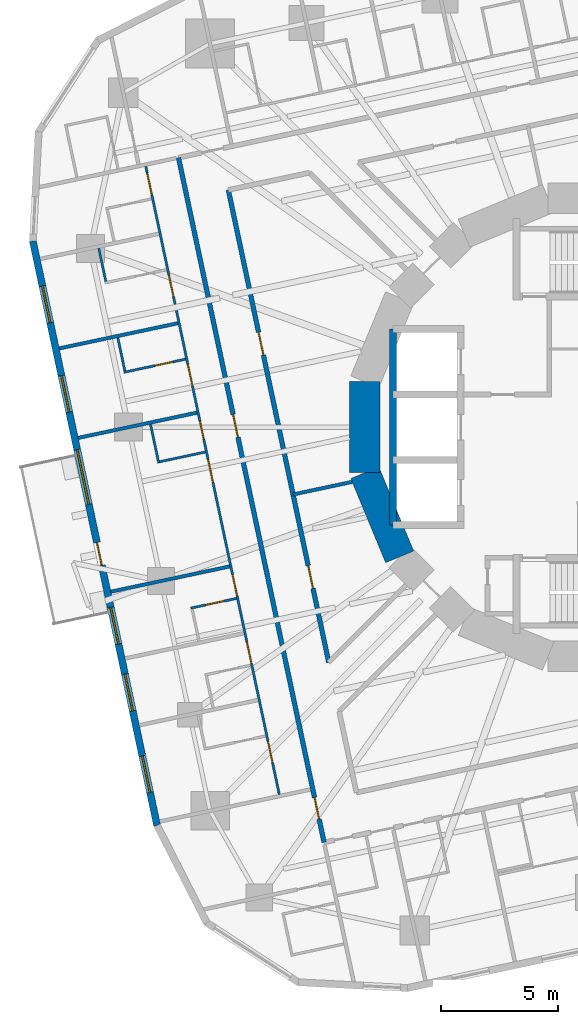
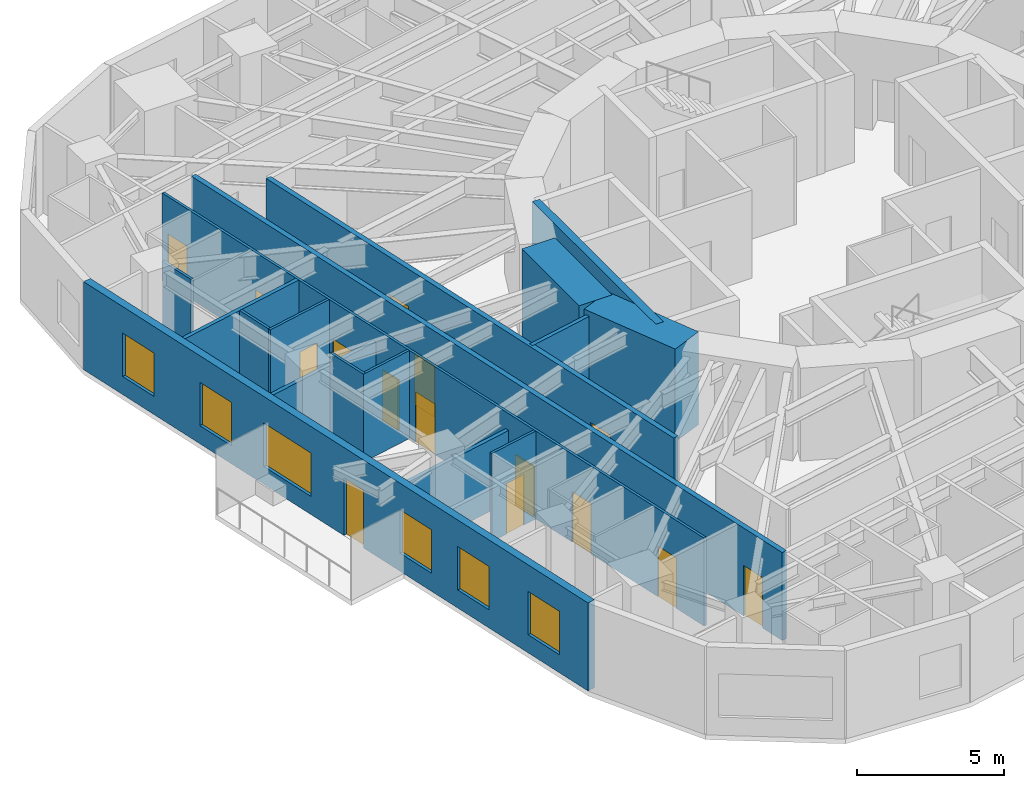
# One storey, part 6 of 14: 17 walls, 15 doors, 6 windows, 21 openings.
"""IFC4 building model written with IfcOpenShell, lengths in metres."""

from ifc_helpers import new_model, si_unit, direction, frame, frame_2d, origin, place, context, subcontext, project, spatial, rectangle, extrude, material, layer, layer_set, type_object, element, fill, save


model = new_model("IFC4")

# Units and contexts
model_context = context("Model", 3, precision=1e-05, world=origin(), true_north=direction((0.0, 1.0)))
body_context = subcontext(model_context, "Body", "Model", "MODEL_VIEW")
ifc_project = project(units=[si_unit("LENGTHUNIT", "METRE"), si_unit("AREAUNIT", "SQUARE_METRE"), si_unit("VOLUMEUNIT", "CUBIC_METRE"), si_unit("PLANEANGLEUNIT", "RADIAN"), si_unit("MASSUNIT", "GRAM", prefix="KILO")], contexts=[model_context])

# Site, building, storey
site_placement = place(None, origin())
site = spatial("IfcSite", under=ifc_project, at=site_placement, CompositionType="ELEMENT")
building_placement = place(site_placement, origin())
building = spatial("IfcBuilding", under=site, at=building_placement, Name="Nakasero Lantern House", CompositionType="ELEMENT")
storey_placement = place(building_placement, frame((0.0, 0.0, 108.85009765625)))
storey = spatial("IfcBuildingStorey", under=building, at=storey_placement, Name="L26", CompositionType="ELEMENT", Elevation=108.85009765625)

# Wall, openings, doors
ifc_material_1 = material(Name="Blockwork", Category="masonry")
ifc_layer_1 = layer(ifc_material_1, 0.10009765625)
ifc_layer_set_1 = layer_set([ifc_layer_1], Name="Cluster hall wall 100")
wall_type_1 = type_object("IfcWallType", Name="Cluster hall wall 100", PredefinedType="PARTITIONING", material=ifc_layer_set_1)
wall_1_placement = place(storey_placement, frame((-19.193603515625, 11.1787109375, 0.0), z_axis=(0.0, 0.0, 1.0), x_axis=(0.207915639441, -0.97814676142, 0.0)))
wall_1 = element("IfcWall", 1, at=wall_1_placement, inside=storey, type_object=wall_type_1, Name="Cluster hall wall L26 HW2-0", PredefinedType="PARTITIONING", context=body_context, shape_type="SweptSolid", body=[
    extrude(rectangle(XDim=27.513427734375, YDim=0.10009765625, at=frame_2d((13.7568359375, 0.0))), origin(), (0.0, 0.0, 1.0), 3.64990234375),
])
opening_1_placement = place(wall_1_placement, frame((12.848876953125, 0.0, 0.0)))
opening_1 = element("IfcOpeningElement", 2, at=opening_1_placement, cuts=wall_1, Name="Opening D03", PredefinedType="OPENING", context=body_context, shape_type="SweptSolid", body=[
    extrude(rectangle(XDim=1.0, YDim=2.10009765625, at=frame_2d((0.5, 1.050048828125))), frame((0.0, 0.070068359375, 0.0), z_axis=(0.0, -1.0, 0.0), x_axis=(1.0, 0.0, 0.0)), (0.0, 0.0, 1.0), 0.14013671875),
])
opening_2_placement = place(wall_1_placement, frame((11.155029296875, 0.0, 0.0)))
opening_2 = element("IfcOpeningElement", 3, at=opening_2_placement, cuts=wall_1, Name="Opening D02", PredefinedType="OPENING", context=body_context, shape_type="SweptSolid", body=[
    extrude(rectangle(XDim=0.800048828125, YDim=2.10009765625, at=frame_2d((0.39990234375, 1.050048828125))), frame((0.0, 0.070068359375, 0.0), z_axis=(0.0, -1.0, 0.0), x_axis=(1.0, 0.0, 0.0)), (0.0, 0.0, 1.0), 0.14013671875),
])
opening_3_placement = place(wall_1_placement, frame((0.300048828125, 0.0, 0.0)))
opening_3 = element("IfcOpeningElement", 4, at=opening_3_placement, cuts=wall_1, Name="Opening D01", PredefinedType="OPENING", context=body_context, shape_type="SweptSolid", body=[
    extrude(rectangle(XDim=0.949951171875, YDim=2.10009765625, at=frame_2d((0.47509765625, 1.050048828125))), frame((0.0, 0.070068359375, 0.0), z_axis=(0.0, -1.0, 0.0), x_axis=(1.0, 0.0, 0.0)), (0.0, 0.0, 1.0), 0.14013671875),
])
opening_4_placement = place(wall_1_placement, frame((4.7412109375, 0.0, 0.0)))
opening_4 = element("IfcOpeningElement", 5, at=opening_4_placement, cuts=wall_1, Name="Opening D01", PredefinedType="OPENING", context=body_context, shape_type="SweptSolid", body=[
    extrude(rectangle(XDim=0.949951171875, YDim=2.10009765625, at=frame_2d((0.47509765625, 1.050048828125))), frame((0.0, 0.070068359375, 0.0), z_axis=(0.0, -1.0, 0.0), x_axis=(1.0, 0.0, 0.0)), (0.0, 0.0, 1.0), 0.14013671875),
])
opening_5_placement = place(wall_1_placement, frame((8.66064453125, 0.0, 0.0)))
opening_5 = element("IfcOpeningElement", 6, at=opening_5_placement, cuts=wall_1, Name="Opening D01", PredefinedType="OPENING", context=body_context, shape_type="SweptSolid", body=[
    extrude(rectangle(XDim=0.949951171875, YDim=2.10009765625, at=frame_2d((0.47509765625, 1.050048828125))), frame((0.0, 0.070068359375, 0.0), z_axis=(0.0, -1.0, 0.0), x_axis=(1.0, 0.0, 0.0)), (0.0, 0.0, 1.0), 0.14013671875),
])
opening_6_placement = place(wall_1_placement, frame((17.892578125, 0.0, 0.0)))
opening_6 = element("IfcOpeningElement", 7, at=opening_6_placement, cuts=wall_1, Name="Opening D01", PredefinedType="OPENING", context=body_context, shape_type="SweptSolid", body=[
    extrude(rectangle(XDim=0.949951171875, YDim=2.10009765625, at=frame_2d((0.47509765625, 1.050048828125))), frame((0.0, 0.070068359375, 0.0), z_axis=(0.0, -1.0, 0.0), x_axis=(1.0, 0.0, 0.0)), (0.0, 0.0, 1.0), 0.14013671875),
])
opening_7_placement = place(wall_1_placement, frame((20.81884765625, 0.0, 0.0)))
opening_7 = element("IfcOpeningElement", 8, at=opening_7_placement, cuts=wall_1, Name="Opening D01", PredefinedType="OPENING", context=body_context, shape_type="SweptSolid", body=[
    extrude(rectangle(XDim=0.949951171875, YDim=2.10009765625, at=frame_2d((0.47509765625, 1.050048828125))), frame((0.0, 0.070068359375, 0.0), z_axis=(0.0, -1.0, 0.0), x_axis=(1.0, 0.0, 0.0)), (0.0, 0.0, 1.0), 0.14013671875),
])
opening_8_placement = place(wall_1_placement, frame((25.17041015625, 0.0, 0.0)))
opening_8 = element("IfcOpeningElement", 9, at=opening_8_placement, cuts=wall_1, Name="Opening D01", PredefinedType="OPENING", context=body_context, shape_type="SweptSolid", body=[
    extrude(rectangle(XDim=0.949951171875, YDim=2.10009765625, at=frame_2d((0.47509765625, 1.050048828125))), frame((0.0, 0.070068359375, 0.0), z_axis=(0.0, -1.0, 0.0), x_axis=(1.0, 0.0, 0.0)), (0.0, 0.0, 1.0), 0.14013671875),
])
ifc_material_2 = material(Name="Timber C24", Category="wood")
door_type_1 = type_object("IfcDoorType", Name="Bedroom door FD30S 950", OperationType="SINGLE_SWING_LEFT", PredefinedType="DOOR", material=ifc_material_2)
door_1_placement = place(opening_3_placement, origin())
door_1 = element("IfcDoor", 10, at=door_1_placement, inside=storey, type_object=door_type_1, Name="Door L26 D2-00", OperationType="SINGLE_SWING_LEFT", OverallHeight=2.10009765625, OverallWidth=0.949951171875, PredefinedType="DOOR", context=body_context, shape_type="SweptSolid", body=[
    extrude(rectangle(XDim=0.949951171875, YDim=2.10009765625, at=frame_2d((0.47509765625, 1.050048828125))), frame((0.0, 0.02490234375, 0.0), z_axis=(0.0, -1.0, 0.0), x_axis=(1.0, 0.0, 0.0)), (0.0, 0.0, 1.0), 0.050048828125),
])
fill(opening_3, door_1)
door_2_placement = place(opening_4_placement, origin())
door_2 = element("IfcDoor", 11, at=door_2_placement, inside=storey, type_object=door_type_1, Name="Door L26 D2-01", OperationType="SINGLE_SWING_LEFT", OverallHeight=2.10009765625, OverallWidth=0.949951171875, PredefinedType="DOOR", context=body_context, shape_type="SweptSolid", body=[
    extrude(rectangle(XDim=0.949951171875, YDim=2.10009765625, at=frame_2d((0.47509765625, 1.050048828125))), frame((0.0, 0.02490234375, 0.0), z_axis=(0.0, -1.0, 0.0), x_axis=(1.0, 0.0, 0.0)), (0.0, 0.0, 1.0), 0.050048828125),
])
fill(opening_4, door_2)
door_3_placement = place(opening_5_placement, origin())
door_3 = element("IfcDoor", 12, at=door_3_placement, inside=storey, type_object=door_type_1, Name="Door L26 D2-02", OperationType="SINGLE_SWING_LEFT", OverallHeight=2.10009765625, OverallWidth=0.949951171875, PredefinedType="DOOR", context=body_context, shape_type="SweptSolid", body=[
    extrude(rectangle(XDim=0.949951171875, YDim=2.10009765625, at=frame_2d((0.47509765625, 1.050048828125))), frame((0.0, 0.02490234375, 0.0), z_axis=(0.0, -1.0, 0.0), x_axis=(1.0, 0.0, 0.0)), (0.0, 0.0, 1.0), 0.050048828125),
])
fill(opening_5, door_3)
door_4_placement = place(opening_6_placement, origin())
door_4 = element("IfcDoor", 13, at=door_4_placement, inside=storey, type_object=door_type_1, Name="Door L26 D2-05", OperationType="SINGLE_SWING_RIGHT", OverallHeight=2.10009765625, OverallWidth=0.949951171875, PredefinedType="DOOR", context=body_context, shape_type="SweptSolid", body=[
    extrude(rectangle(XDim=0.949951171875, YDim=2.10009765625, at=frame_2d((0.47509765625, 1.050048828125))), frame((0.0, 0.02490234375, 0.0), z_axis=(0.0, -1.0, 0.0), x_axis=(1.0, 0.0, 0.0)), (0.0, 0.0, 1.0), 0.050048828125),
])
fill(opening_6, door_4)
door_5_placement = place(opening_7_placement, origin())
door_5 = element("IfcDoor", 14, at=door_5_placement, inside=storey, type_object=door_type_1, Name="Door L26 D2-06", OperationType="SINGLE_SWING_RIGHT", OverallHeight=2.10009765625, OverallWidth=0.949951171875, PredefinedType="DOOR", context=body_context, shape_type="SweptSolid", body=[
    extrude(rectangle(XDim=0.949951171875, YDim=2.10009765625, at=frame_2d((0.47509765625, 1.050048828125))), frame((0.0, 0.02490234375, 0.0), z_axis=(0.0, -1.0, 0.0), x_axis=(1.0, 0.0, 0.0)), (0.0, 0.0, 1.0), 0.050048828125),
])
fill(opening_7, door_5)
door_6_placement = place(opening_8_placement, origin())
door_6 = element("IfcDoor", 15, at=door_6_placement, inside=storey, type_object=door_type_1, Name="Door L26 D2-07", OperationType="SINGLE_SWING_RIGHT", OverallHeight=2.10009765625, OverallWidth=0.949951171875, PredefinedType="DOOR", context=body_context, shape_type="SweptSolid", body=[
    extrude(rectangle(XDim=0.949951171875, YDim=2.10009765625, at=frame_2d((0.47509765625, 1.050048828125))), frame((0.0, 0.02490234375, 0.0), z_axis=(0.0, -1.0, 0.0), x_axis=(1.0, 0.0, 0.0)), (0.0, 0.0, 1.0), 0.050048828125),
])
fill(opening_8, door_6)
ifc_material_3 = material(Name="Timber C24", Category="wood")
door_type_2 = type_object("IfcDoorType", Name="En-suite door 800", OperationType="SINGLE_SWING_RIGHT", PredefinedType="DOOR", material=ifc_material_3)
door_7_placement = place(opening_2_placement, origin())
door_7 = element("IfcDoor", 16, at=door_7_placement, inside=storey, type_object=door_type_2, Name="Door L26 DSH2-0", OperationType="SINGLE_SWING_LEFT", OverallHeight=2.10009765625, OverallWidth=0.800048828125, PredefinedType="DOOR", context=body_context, shape_type="SweptSolid", body=[
    extrude(rectangle(XDim=0.800048828125, YDim=2.10009765625, at=frame_2d((0.39990234375, 1.050048828125))), frame((0.0, 0.02490234375, 0.0), z_axis=(0.0, -1.0, 0.0), x_axis=(1.0, 0.0, 0.0)), (0.0, 0.0, 1.0), 0.050048828125),
])
fill(opening_2, door_7)
ifc_material_4 = material(Name="Timber C24", Category="wood")
door_type_3 = type_object("IfcDoorType", Name="Lounge door FD30S 1000", OperationType="SINGLE_SWING_LEFT", PredefinedType="DOOR", material=ifc_material_4)
door_8_placement = place(opening_1_placement, origin())
door_8 = element("IfcDoor", 17, at=door_8_placement, inside=storey, type_object=door_type_3, Name="Door L26 DH2-0", OperationType="SINGLE_SWING_LEFT", OverallHeight=2.10009765625, OverallWidth=1.0, PredefinedType="DOOR", context=body_context, shape_type="SweptSolid", body=[
    extrude(rectangle(XDim=1.0, YDim=2.10009765625, at=frame_2d((0.5, 1.050048828125))), frame((0.0, 0.02490234375, 0.0), z_axis=(0.0, -1.0, 0.0), x_axis=(1.0, 0.0, 0.0)), (0.0, 0.0, 1.0), 0.050048828125),
])
fill(opening_1, door_8)

# Walls
ifc_material_5 = material(Name="Concrete C50/60", Category="concrete")
ifc_layer_2 = layer(ifc_material_5, 0.300048828125)
ifc_layer_set_2 = layer_set([ifc_layer_2], Name="Core inner wall 300")
wall_type_2 = type_object("IfcWallType", Name="Core inner wall 300", PredefinedType="SHEAR", material=ifc_layer_set_2)
wall_2_placement = place(storey_placement, frame((-8.60009765625, -4.199951171875, 0.0), z_axis=(0.0, 0.0, 1.0), x_axis=(0.0, 1.0, 0.0)))
element("IfcWall", 18, at=wall_2_placement, inside=storey, type_object=wall_type_2, Name="Core inner wall L26 LWB", PredefinedType="SHEAR", context=body_context, shape_type="SweptSolid", body=[
    extrude(rectangle(XDim=8.39990234375, YDim=0.300048828125, at=frame_2d((4.199951171875, 0.0))), origin(), (0.0, 0.0, 1.0), 3.849853515625),
])
ifc_material_6 = material(Name="Concrete C50/60", Category="concrete")
ifc_layer_3 = layer(ifc_material_6, 1.300048828125)
ifc_layer_set_3 = layer_set([ifc_layer_3], Name="Core wall 1300")
wall_type_3 = type_object("IfcWallType", Name="Core wall 1300", PredefinedType="SHEAR", material=ifc_layer_set_3)
for number, where, z_axis, x_axis, name in (
    (19, (-9.807861328125, 1.950927734375, 0.0), (0.0, 0.0, 1.0), (0.0, -1.0, 0.0), "Core wall L26 facet 8"),
    (20, (-9.807861328125, -1.950927734375, 0.0), (0.0, 0.0, 1.0), (0.382690736062, -0.923876507187, 0.0), "Core wall L26 facet 9"),
):
    element("IfcWall", number, at=place(storey_placement, frame(where, z_axis=z_axis, x_axis=x_axis)), inside=storey, type_object=wall_type_3, Name=name, PredefinedType="SHEAR", context=body_context, shape_type="SweptSolid", body=[
        extrude(rectangle(XDim=3.90185546875, YDim=1.300048828125, at=frame_2d((1.950927734375, 0.0))), origin(), (0.0, 0.0, 1.0), 3.849853515625),
    ])

# Wall, openings, doors
ifc_material_7 = material(Name="Blockwork", Category="masonry")
ifc_layer_4 = layer(ifc_material_7, 0.199951171875)
ifc_layer_set_4 = layer_set([ifc_layer_4], Name="Corridor wall 200")
wall_type_4 = type_object("IfcWallType", Name="Corridor wall 200", PredefinedType="PARTITIONING", material=ifc_layer_set_4)
wall_3_placement = place(storey_placement, frame((-17.790771484375, 11.553466796875, 0.0), z_axis=(0.0, 0.0, 1.0), x_axis=(0.207911508826, -0.978147639417, 0.0)))
wall_3 = element("IfcWall", 21, at=wall_3_placement, inside=storey, type_object=wall_type_4, Name="Corridor wall L26 CW2", PredefinedType="PARTITIONING", context=body_context, shape_type="SweptSolid", body=[
    extrude(rectangle(XDim=29.999755859375, YDim=0.199951171875, at=frame_2d((15.0, 0.0))), origin(), (0.0, 0.0, 1.0), 3.64990234375),
])
opening_9_placement = place(wall_3_placement, frame((11.255126953125, 0.0, 0.0)))
opening_9 = element("IfcOpeningElement", 22, at=opening_9_placement, cuts=wall_3, Name="Opening D14", PredefinedType="OPENING", context=body_context, shape_type="SweptSolid", body=[
    extrude(rectangle(XDim=1.0, YDim=2.10009765625, at=frame_2d((0.5, 1.050048828125))), frame((0.0, 0.119873046875, 0.0), z_axis=(0.0, -1.0, 0.0), x_axis=(1.0, 0.0, 0.0)), (0.0, 0.0, 1.0), 0.239990234375),
])
opening_10_placement = place(wall_3_placement, frame((28.038330078125, 0.0, 0.0)))
opening_10 = element("IfcOpeningElement", 23, at=opening_10_placement, cuts=wall_3, Name="Opening D01", PredefinedType="OPENING", context=body_context, shape_type="SweptSolid", body=[
    extrude(rectangle(XDim=0.949951171875, YDim=2.10009765625, at=frame_2d((0.47509765625, 1.050048828125))), frame((0.0, 0.119873046875, 0.0), z_axis=(0.0, -1.0, 0.0), x_axis=(1.0, 0.0, 0.0)), (0.0, 0.0, 1.0), 0.239990234375),
])
door_9_placement = place(opening_10_placement, origin())
door_9 = element("IfcDoor", 24, at=door_9_placement, inside=storey, type_object=door_type_1, Name="Door L26 D2-08", OperationType="SINGLE_SWING_RIGHT", OverallHeight=2.10009765625, OverallWidth=0.949951171875, PredefinedType="DOOR", context=body_context, shape_type="SweptSolid", body=[
    extrude(rectangle(XDim=0.949951171875, YDim=2.10009765625, at=frame_2d((0.47509765625, 1.050048828125))), frame((0.0, 0.02490234375, 0.0), z_axis=(0.0, -1.0, 0.0), x_axis=(1.0, 0.0, 0.0)), (0.0, 0.0, 1.0), 0.050048828125),
])
fill(opening_10, door_9)
ifc_material_8 = material(Name="Timber C24", Category="wood")
door_type_4 = type_object("IfcDoorType", Name="Cluster entrance door FD30S 1000", OperationType="SINGLE_SWING_LEFT", PredefinedType="DOOR", material=ifc_material_8)
door_10_placement = place(opening_9_placement, origin())
door_10 = element("IfcDoor", 25, at=door_10_placement, inside=storey, type_object=door_type_4, Name="Door L26 DF2-0", OperationType="SINGLE_SWING_LEFT", OverallHeight=2.10009765625, OverallWidth=1.0, PredefinedType="DOOR", context=body_context, shape_type="SweptSolid", body=[
    extrude(rectangle(XDim=1.0, YDim=2.10009765625, at=frame_2d((0.5, 1.050048828125))), frame((0.0, 0.02490234375, 0.0), z_axis=(0.0, -1.0, 0.0), x_axis=(1.0, 0.0, 0.0)), (0.0, 0.0, 1.0), 0.050048828125),
])
fill(opening_9, door_10)

wall_4_placement = place(storey_placement, frame((-15.656005859375, 10.1669921875, 0.0), z_axis=(0.0, 0.0, 1.0), x_axis=(0.207919413582, -0.978145959178, 0.0)))
wall_4 = element("IfcWall", 26, at=wall_4_placement, inside=storey, type_object=wall_type_4, Name="Corridor wall L26 IW2-0", PredefinedType="PARTITIONING", context=body_context, shape_type="SweptSolid", body=[
    extrude(rectangle(XDim=20.698974609375, YDim=0.199951171875, at=frame_2d((10.349609375, 0.0))), origin(), (0.0, 0.0, 1.0), 3.64990234375),
])
opening_11_placement = place(wall_4_placement, frame((16.45703125, 0.0, 0.0)))
opening_11 = element("IfcOpeningElement", 27, at=opening_11_placement, cuts=wall_4, Name="Opening D07", PredefinedType="OPENING", context=body_context, shape_type="SweptSolid", body=[
    extrude(rectangle(XDim=1.0, YDim=2.10009765625, at=frame_2d((0.5, 1.050048828125))), frame((0.0, 0.119873046875, 0.0), z_axis=(0.0, -1.0, 0.0), x_axis=(1.0, 0.0, 0.0)), (0.0, 0.0, 1.0), 0.239990234375),
])
opening_12_placement = place(wall_4_placement, frame((6.232421875, 0.0, 0.0)))
opening_12 = element("IfcOpeningElement", 28, at=opening_12_placement, cuts=wall_4, Name="Opening D07", PredefinedType="OPENING", context=body_context, shape_type="SweptSolid", body=[
    extrude(rectangle(XDim=1.0, YDim=2.10009765625, at=frame_2d((0.5, 1.050048828125))), frame((0.0, 0.119873046875, 0.0), z_axis=(0.0, -1.0, 0.0), x_axis=(1.0, 0.0, 0.0)), (0.0, 0.0, 1.0), 0.239990234375),
])
ifc_material_9 = material(Name="Timber C24", Category="wood")
door_type_5 = type_object("IfcDoorType", Name="Room door FD30S 1000", OperationType="SINGLE_SWING_LEFT", PredefinedType="DOOR", material=ifc_material_9)
door_11_placement = place(opening_11_placement, origin())
door_11 = element("IfcDoor", 29, at=door_11_placement, inside=storey, type_object=door_type_5, Name="Door L26 DI1", OperationType="SINGLE_SWING_RIGHT", OverallHeight=2.10009765625, OverallWidth=1.0, PredefinedType="DOOR", context=body_context, shape_type="SweptSolid", body=[
    extrude(rectangle(XDim=1.0, YDim=2.10009765625, at=frame_2d((0.5, 1.050048828125))), frame((0.0, 0.02490234375, 0.0), z_axis=(0.0, -1.0, 0.0), x_axis=(1.0, 0.0, 0.0)), (0.0, 0.0, 1.0), 0.050048828125),
])
fill(opening_11, door_11)
door_12_placement = place(opening_12_placement, origin())
door_12 = element("IfcDoor", 30, at=door_12_placement, inside=storey, type_object=door_type_5, Name="Door L26 DI7", OperationType="SINGLE_SWING_LEFT", OverallHeight=2.10009765625, OverallWidth=1.0, PredefinedType="DOOR", context=body_context, shape_type="SweptSolid", body=[
    extrude(rectangle(XDim=1.0, YDim=2.10009765625, at=frame_2d((0.5, 1.050048828125))), frame((0.0, 0.02490234375, 0.0), z_axis=(0.0, -1.0, 0.0), x_axis=(1.0, 0.0, 0.0)), (0.0, 0.0, 1.0), 0.050048828125),
])
fill(opening_12, door_12)

# Walls
ifc_material_10 = material(Name="Blockwork", Category="masonry")
ifc_layer_5 = layer(ifc_material_10, 0.10009765625)
ifc_layer_set_5 = layer_set([ifc_layer_5], Name="En-suite wall 100")
wall_type_5 = type_object("IfcWallType", Name="En-suite wall 100", PredefinedType="PARTITIONING", material=ifc_layer_set_5)
wall_5_placement = place(storey_placement, frame((-16.642578125, -1.0634765625, 0.0), z_axis=(0.0, 0.0, 1.0), x_axis=(-0.978134617382, -0.207972763311, 0.0)))
element("IfcWall", 31, at=wall_5_placement, inside=storey, type_object=wall_type_5, Name="En-suite wall L26 SS2-0", PredefinedType="PARTITIONING", context=body_context, shape_type="SweptSolid", body=[
    extrude(rectangle(XDim=2.10009765625, YDim=0.10009765625, at=frame_2d((1.050048828125, 0.0))), origin(), (0.0, 0.0, 1.0), 3.64990234375),
])
wall_6_placement = place(storey_placement, frame((-18.99072265625, 0.124267578125, 0.0), z_axis=(0.0, 0.0, 1.0), x_axis=(0.207812379357, -0.978168704767, 0.0)))
element("IfcWall", 32, at=wall_6_placement, inside=storey, type_object=wall_type_5, Name="En-suite wall L26 SE2-0", PredefinedType="PARTITIONING", context=body_context, shape_type="SweptSolid", body=[
    extrude(rectangle(XDim=1.699951171875, YDim=0.10009765625, at=frame_2d((0.85009765625, 0.0))), origin(), (0.0, 0.0, 1.0), 3.64990234375),
])
wall_7_placement = place(storey_placement, frame((-21.20751953125, 7.667236328125, 0.0), z_axis=(0.0, 0.0, 1.0), x_axis=(0.207919161079, -0.978146012851, 0.0)))
element("IfcWall", 33, at=wall_7_placement, inside=storey, type_object=wall_type_5, Name="En-suite wall L26 EE2-01", PredefinedType="PARTITIONING", context=body_context, shape_type="SweptSolid", body=[
    extrude(rectangle(XDim=1.4501953125, YDim=0.10009765625, at=frame_2d((0.72509765625, 0.0))), origin(), (0.0, 0.0, 1.0), 3.64990234375),
])

# Wall, opening, door
wall_8_placement = place(storey_placement, frame((-17.48876953125, 2.9169921875, 0.0), z_axis=(0.0, 0.0, 1.0), x_axis=(-0.978151725935, -0.207892282326, 0.0)))
wall_8 = element("IfcWall", 34, at=wall_8_placement, inside=storey, type_object=wall_type_5, Name="En-suite wall L26 ES2-02", PredefinedType="PARTITIONING", context=body_context, shape_type="SweptSolid", body=[
    extrude(rectangle(XDim=2.699951171875, YDim=0.10009765625, at=frame_2d((1.35009765625, 0.0))), origin(), (0.0, 0.0, 1.0), 3.64990234375),
])
opening_13_placement = place(wall_8_placement, frame((0.550048828125, 0.0, 0.0)))
opening_13 = element("IfcOpeningElement", 35, at=opening_13_placement, cuts=wall_8, Name="Opening D02", PredefinedType="OPENING", context=body_context, shape_type="SweptSolid", body=[
    extrude(rectangle(XDim=0.800048828125, YDim=2.10009765625, at=frame_2d((0.39990234375, 1.050048828125))), frame((0.0, 0.070068359375, 0.0), z_axis=(0.0, -1.0, 0.0), x_axis=(1.0, 0.0, 0.0)), (0.0, 0.0, 1.0), 0.14013671875),
])
door_13_placement = place(opening_13_placement, origin())
door_13 = element("IfcDoor", 36, at=door_13_placement, inside=storey, type_object=door_type_2, Name="Door L26 DE2-02", OperationType="SINGLE_SWING_LEFT", OverallHeight=2.10009765625, OverallWidth=0.800048828125, PredefinedType="DOOR", context=body_context, shape_type="SweptSolid", body=[
    extrude(rectangle(XDim=0.800048828125, YDim=2.10009765625, at=frame_2d((0.39990234375, 1.050048828125))), frame((0.0, 0.02490234375, 0.0), z_axis=(0.0, -1.0, 0.0), x_axis=(1.0, 0.0, 0.0)), (0.0, 0.0, 1.0), 0.050048828125),
])
fill(opening_13, door_13)

# Wall
wall_9_placement = place(storey_placement, frame((-20.392578125, 3.833251953125, 0.0), z_axis=(0.0, 0.0, 1.0), x_axis=(0.207953405961, -0.978138732977, 0.0)))
element("IfcWall", 37, at=wall_9_placement, inside=storey, type_object=wall_type_5, Name="En-suite wall L26 EE2-02", PredefinedType="PARTITIONING", context=body_context, shape_type="SweptSolid", body=[
    extrude(rectangle(XDim=1.449951171875, YDim=0.10009765625, at=frame_2d((0.72509765625, 0.0))), origin(), (0.0, 0.0, 1.0), 3.64990234375),
])

# Wall, opening, door
wall_10_placement = place(storey_placement, frame((-15.30908203125, -7.337158203125, 0.0), z_axis=(0.0, 0.0, 1.0), x_axis=(-0.978152955943, -0.207886494942, 0.0)))
wall_10 = element("IfcWall", 38, at=wall_10_placement, inside=storey, type_object=wall_type_5, Name="En-suite wall L26 ES2-05", PredefinedType="PARTITIONING", context=body_context, shape_type="SweptSolid", body=[
    extrude(rectangle(XDim=2.0, YDim=0.10009765625, at=frame_2d((1.0, 0.0))), origin(), (0.0, 0.0, 1.0), 3.64990234375),
])
opening_14_placement = place(wall_10_placement, frame((0.550048828125, 0.0, 0.0)))
opening_14 = element("IfcOpeningElement", 39, at=opening_14_placement, cuts=wall_10, Name="Opening D02", PredefinedType="OPENING", context=body_context, shape_type="SweptSolid", body=[
    extrude(rectangle(XDim=0.800048828125, YDim=2.10009765625, at=frame_2d((0.39990234375, 1.050048828125))), frame((0.0, 0.070068359375, 0.0), z_axis=(0.0, -1.0, 0.0), x_axis=(1.0, 0.0, 0.0)), (0.0, 0.0, 1.0), 0.14013671875),
])
door_14_placement = place(opening_14_placement, origin())
door_14 = element("IfcDoor", 40, at=door_14_placement, inside=storey, type_object=door_type_2, Name="Door L26 DE2-05", OperationType="SINGLE_SWING_LEFT", OverallHeight=2.10009765625, OverallWidth=0.800048828125, PredefinedType="DOOR", context=body_context, shape_type="SweptSolid", body=[
    extrude(rectangle(XDim=0.800048828125, YDim=2.10009765625, at=frame_2d((0.39990234375, 1.050048828125))), frame((0.0, 0.02490234375, 0.0), z_axis=(0.0, -1.0, 0.0), x_axis=(1.0, 0.0, 0.0)), (0.0, 0.0, 1.0), 0.050048828125),
])
fill(opening_14, door_14)

# Wall, openings, door, windows
ifc_material_11 = material(Name="Aluminium rainscreen on blockwork", Category="masonry")
ifc_layer_6 = layer(ifc_material_11, 0.300048828125)
ifc_layer_set_6 = layer_set([ifc_layer_6], Name="Facade wall 300")
wall_type_6 = type_object("IfcWallType", Name="Facade wall 300", PredefinedType="SOLIDWALL", material=ifc_layer_set_6)
wall_11_placement = place(storey_placement, frame((-24.03369140625, 7.9775390625, 0.0), z_axis=(0.0, 0.0, 1.0), x_axis=(0.207909055127, -0.978148160964, 0.0)))
wall_11 = element("IfcWall", 41, at=wall_11_placement, inside=storey, type_object=wall_type_6, Name="Facade wall L26 FW2S", PredefinedType="SOLIDWALL", context=body_context, shape_type="SweptSolid", body=[
    extrude(rectangle(XDim=25.60009765625, YDim=0.300048828125, at=frame_2d((12.800048828125, 0.0))), origin(), (0.0, 0.0, 1.0), 3.64990234375),
])
opening_15_placement = place(wall_11_placement, frame((1.975830078125, 0.0, 0.75)))
opening_15 = element("IfcOpeningElement", 42, at=opening_15_placement, cuts=wall_11, Name="Opening W01", PredefinedType="OPENING", context=body_context, shape_type="SweptSolid", body=[
    extrude(rectangle(XDim=1.60009765625, YDim=1.800048828125, at=frame_2d((0.800048828125, 0.89990234375))), frame((0.0, 0.169921875, 0.0), z_axis=(0.0, -1.0, 0.0), x_axis=(1.0, 0.0, 0.0)), (0.0, 0.0, 1.0), 0.340087890625),
])
opening_16_placement = place(wall_11_placement, frame((5.8955078125, 0.0, 0.75)))
opening_16 = element("IfcOpeningElement", 43, at=opening_16_placement, cuts=wall_11, Name="Opening W01", PredefinedType="OPENING", context=body_context, shape_type="SweptSolid", body=[
    extrude(rectangle(XDim=1.60009765625, YDim=1.800048828125, at=frame_2d((0.800048828125, 0.89990234375))), frame((0.0, 0.169921875, 0.0), z_axis=(0.0, -1.0, 0.0), x_axis=(1.0, 0.0, 0.0)), (0.0, 0.0, 1.0), 0.340087890625),
])
opening_17_placement = place(wall_11_placement, frame((16.0556640625, 0.0, 0.75)))
opening_17 = element("IfcOpeningElement", 44, at=opening_17_placement, cuts=wall_11, Name="Opening W01", PredefinedType="OPENING", context=body_context, shape_type="SweptSolid", body=[
    extrude(rectangle(XDim=1.60009765625, YDim=1.800048828125, at=frame_2d((0.800048828125, 0.89990234375))), frame((0.0, 0.169921875, 0.0), z_axis=(0.0, -1.0, 0.0), x_axis=(1.0, 0.0, 0.0)), (0.0, 0.0, 1.0), 0.340087890625),
])
opening_18_placement = place(wall_11_placement, frame((18.982177734375, 0.0, 0.75)))
opening_18 = element("IfcOpeningElement", 45, at=opening_18_placement, cuts=wall_11, Name="Opening W01", PredefinedType="OPENING", context=body_context, shape_type="SweptSolid", body=[
    extrude(rectangle(XDim=1.60009765625, YDim=1.800048828125, at=frame_2d((0.800048828125, 0.89990234375))), frame((0.0, 0.169921875, 0.0), z_axis=(0.0, -1.0, 0.0), x_axis=(1.0, 0.0, 0.0)), (0.0, 0.0, 1.0), 0.340087890625),
])
opening_19_placement = place(wall_11_placement, frame((22.554443359375, 0.0, 0.75)))
opening_19 = element("IfcOpeningElement", 46, at=opening_19_placement, cuts=wall_11, Name="Opening W01", PredefinedType="OPENING", context=body_context, shape_type="SweptSolid", body=[
    extrude(rectangle(XDim=1.60009765625, YDim=1.800048828125, at=frame_2d((0.800048828125, 0.89990234375))), frame((0.0, 0.169921875, 0.0), z_axis=(0.0, -1.0, 0.0), x_axis=(1.0, 0.0, 0.0)), (0.0, 0.0, 1.0), 0.340087890625),
])
opening_20_placement = place(wall_11_placement, frame((9.139404296875, 0.0, 0.75)))
opening_20 = element("IfcOpeningElement", 47, at=opening_20_placement, cuts=wall_11, Name="Opening W03", PredefinedType="OPENING", context=body_context, shape_type="SweptSolid", body=[
    extrude(rectangle(XDim=2.39990234375, YDim=1.800048828125, at=frame_2d((1.199951171875, 0.89990234375))), frame((0.0, 0.169921875, 0.0), z_axis=(0.0, -1.0, 0.0), x_axis=(1.0, 0.0, 0.0)), (0.0, 0.0, 1.0), 0.340087890625),
])
opening_21_placement = place(wall_11_placement, frame((13.208251953125, 0.0, 0.0)))
opening_21 = element("IfcOpeningElement", 48, at=opening_21_placement, cuts=wall_11, Name="Opening D04", PredefinedType="OPENING", context=body_context, shape_type="SweptSolid", body=[
    extrude(rectangle(XDim=1.0, YDim=2.39990234375, at=frame_2d((0.5, 1.199951171875))), frame((0.0, 0.169921875, 0.0), z_axis=(0.0, -1.0, 0.0), x_axis=(1.0, 0.0, 0.0)), (0.0, 0.0, 1.0), 0.340087890625),
])
ifc_material_12 = material(Name="Aluminium 6063-T6 and glass", Category="aluminium")
door_type_6 = type_object("IfcDoorType", Name="Balcony door 1000x2400", OperationType="SINGLE_SWING_RIGHT", PredefinedType="DOOR", material=ifc_material_12)
door_15_placement = place(opening_21_placement, origin())
door_15 = element("IfcDoor", 49, at=door_15_placement, inside=storey, type_object=door_type_6, Name="Balcony door L26 DB2", OperationType="SINGLE_SWING_RIGHT", OverallHeight=2.39990234375, OverallWidth=1.0, PredefinedType="DOOR", context=body_context, shape_type="SweptSolid", body=[
    extrude(rectangle(XDim=1.0, YDim=2.39990234375, at=frame_2d((0.5, 1.199951171875))), frame((0.0, 0.02490234375, 0.0), z_axis=(0.0, -1.0, 0.0), x_axis=(1.0, 0.0, 0.0)), (0.0, 0.0, 1.0), 0.050048828125),
])
fill(opening_21, door_15)
ifc_material_13 = material(Name="Aluminium 6063-T6 and glass", Category="aluminium")
window_type_1 = type_object("IfcWindowType", Name="Bedroom window 1600x1800", PartitioningType="SINGLE_PANEL", PredefinedType="WINDOW", material=ifc_material_13)
window_1_placement = place(opening_15_placement, origin())
window_1 = element("IfcWindow", 50, at=window_1_placement, inside=storey, type_object=window_type_1, Name="Window L26 WN2-01", OverallHeight=1.800048828125, OverallWidth=1.60009765625, PartitioningType="SINGLE_PANEL", PredefinedType="WINDOW", context=body_context, shape_type="SweptSolid", body=[
    extrude(rectangle(XDim=1.60009765625, YDim=1.800048828125, at=frame_2d((0.800048828125, 0.89990234375))), frame((0.0, 0.030029296875, 0.0), z_axis=(0.0, -1.0, 0.0), x_axis=(1.0, 0.0, 0.0)), (0.0, 0.0, 1.0), 0.06005859375),
])
fill(opening_15, window_1)
window_2_placement = place(opening_16_placement, origin())
window_2 = element("IfcWindow", 51, at=window_2_placement, inside=storey, type_object=window_type_1, Name="Window L26 WN2-02", OverallHeight=1.800048828125, OverallWidth=1.60009765625, PartitioningType="SINGLE_PANEL", PredefinedType="WINDOW", context=body_context, shape_type="SweptSolid", body=[
    extrude(rectangle(XDim=1.60009765625, YDim=1.800048828125, at=frame_2d((0.800048828125, 0.89990234375))), frame((0.0, 0.030029296875, 0.0), z_axis=(0.0, -1.0, 0.0), x_axis=(1.0, 0.0, 0.0)), (0.0, 0.0, 1.0), 0.06005859375),
])
fill(opening_16, window_2)
window_3_placement = place(opening_17_placement, origin())
window_3 = element("IfcWindow", 52, at=window_3_placement, inside=storey, type_object=window_type_1, Name="Window L26 WN2-05", OverallHeight=1.800048828125, OverallWidth=1.60009765625, PartitioningType="SINGLE_PANEL", PredefinedType="WINDOW", context=body_context, shape_type="SweptSolid", body=[
    extrude(rectangle(XDim=1.60009765625, YDim=1.800048828125, at=frame_2d((0.800048828125, 0.89990234375))), frame((0.0, 0.030029296875, 0.0), z_axis=(0.0, -1.0, 0.0), x_axis=(1.0, 0.0, 0.0)), (0.0, 0.0, 1.0), 0.06005859375),
])
fill(opening_17, window_3)
window_4_placement = place(opening_18_placement, origin())
window_4 = element("IfcWindow", 53, at=window_4_placement, inside=storey, type_object=window_type_1, Name="Window L26 WN2-06", OverallHeight=1.800048828125, OverallWidth=1.60009765625, PartitioningType="SINGLE_PANEL", PredefinedType="WINDOW", context=body_context, shape_type="SweptSolid", body=[
    extrude(rectangle(XDim=1.60009765625, YDim=1.800048828125, at=frame_2d((0.800048828125, 0.89990234375))), frame((0.0, 0.030029296875, 0.0), z_axis=(0.0, -1.0, 0.0), x_axis=(1.0, 0.0, 0.0)), (0.0, 0.0, 1.0), 0.06005859375),
])
fill(opening_18, window_4)
window_5_placement = place(opening_19_placement, origin())
window_5 = element("IfcWindow", 54, at=window_5_placement, inside=storey, type_object=window_type_1, Name="Window L26 WN2-07", OverallHeight=1.800048828125, OverallWidth=1.60009765625, PartitioningType="SINGLE_PANEL", PredefinedType="WINDOW", context=body_context, shape_type="SweptSolid", body=[
    extrude(rectangle(XDim=1.60009765625, YDim=1.800048828125, at=frame_2d((0.800048828125, 0.89990234375))), frame((0.0, 0.030029296875, 0.0), z_axis=(0.0, -1.0, 0.0), x_axis=(1.0, 0.0, 0.0)), (0.0, 0.0, 1.0), 0.06005859375),
])
fill(opening_19, window_5)
ifc_material_14 = material(Name="Aluminium 6063-T6 and glass", Category="aluminium")
window_type_2 = type_object("IfcWindowType", Name="Lounge window 2400x1800", PartitioningType="SINGLE_PANEL", PredefinedType="WINDOW", material=ifc_material_14)
window_6_placement = place(opening_20_placement, origin())
window_6 = element("IfcWindow", 55, at=window_6_placement, inside=storey, type_object=window_type_2, Name="Window L26 WK2", OverallHeight=1.800048828125, OverallWidth=2.39990234375, PartitioningType="SINGLE_PANEL", PredefinedType="WINDOW", context=body_context, shape_type="SweptSolid", body=[
    extrude(rectangle(XDim=2.39990234375, YDim=1.800048828125, at=frame_2d((1.199951171875, 0.89990234375))), frame((0.0, 0.030029296875, 0.0), z_axis=(0.0, -1.0, 0.0), x_axis=(1.0, 0.0, 0.0)), (0.0, 0.0, 1.0), 0.06005859375),
])
fill(opening_20, window_6)

# Walls
ifc_material_15 = material(Name="Blockwork", Category="masonry")
ifc_layer_7 = layer(ifc_material_15, 0.14990234375)
ifc_layer_set_7 = layer_set([ifc_layer_7], Name="Party wall 150")
wall_type_7 = type_object("IfcWallType", Name="Party wall 150", PredefinedType="PARTITIONING", material=ifc_layer_set_7)
wall_12_placement = place(storey_placement, frame((-17.816162109375, 4.45751953125, 0.0), z_axis=(0.0, 0.0, 1.0), x_axis=(-0.978151452323, -0.207893569688, 0.0)))
element("IfcWall", 56, at=wall_12_placement, inside=storey, type_object=wall_type_7, Name="Party wall L26 PW2-02", PredefinedType="PARTITIONING", context=body_context, shape_type="SweptSolid", body=[
    extrude(rectangle(XDim=5.199951171875, YDim=0.14990234375, at=frame_2d((2.60009765625, 0.0))), origin(), (0.0, 0.0, 1.0), 3.64990234375),
])
wall_13_placement = place(storey_placement, frame((-17.001220703125, 0.623779296875, 0.0), z_axis=(0.0, 0.0, 1.0), x_axis=(-0.978141904084, -0.207938489641, 0.0)))
element("IfcWall", 57, at=wall_13_placement, inside=storey, type_object=wall_type_7, Name="Party wall L26 PW2-03", PredefinedType="PARTITIONING", context=body_context, shape_type="SweptSolid", body=[
    extrude(rectangle(XDim=5.2001953125, YDim=0.14990234375, at=frame_2d((2.60009765625, 0.0))), origin(), (0.0, 0.0, 1.0), 3.12158203125),
])
wall_14_placement = place(storey_placement, frame((-15.600341796875, -5.966552734375, 0.0), z_axis=(0.0, 0.0, 1.0), x_axis=(-0.978151452323, -0.207893569688, 0.0)))
element("IfcWall", 58, at=wall_14_placement, inside=storey, type_object=wall_type_7, Name="Party wall L26 PW2-05", PredefinedType="PARTITIONING", context=body_context, shape_type="SweptSolid", body=[
    extrude(rectangle(XDim=5.199951171875, YDim=0.14990234375, at=frame_2d((2.60009765625, 0.0))), origin(), (0.0, 0.0, 1.0), 2.95703125),
])
wall_15_placement = place(storey_placement, frame((-12.88232421875, -2.88134765625, 0.0), z_axis=(0.0, 0.0, 1.0), x_axis=(0.978137762495, 0.207957970708, 0.0)))
element("IfcWall", 59, at=wall_15_placement, inside=storey, type_object=wall_type_7, Name="Party wall L26 IM2", PredefinedType="PARTITIONING", context=body_context, shape_type="SweptSolid", body=[
    extrude(rectangle(XDim=2.58984375, YDim=0.14990234375, at=frame_2d((1.294921875, 0.0))), origin(), (0.0, 0.0, 1.0), 3.64990234375),
])

save(model, "model.ifc")
